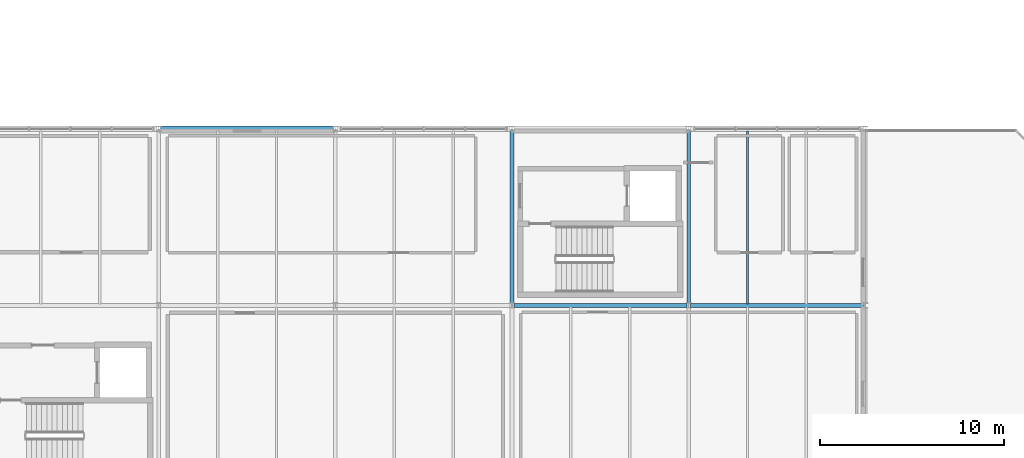
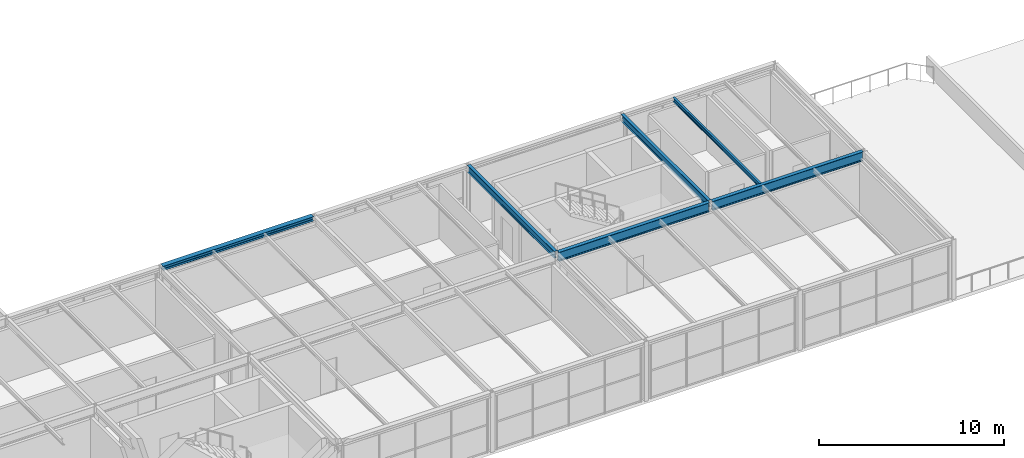
# One storey, part 24 of 39: 6 beams.
"""IFC4 building model written with IfcOpenShell, lengths in metres."""

from ifc_helpers import new_model, si_unit, direction, frame, origin, origin_2d, place, context, subcontext, project, spatial, i_section, extrude, material, material_profile, profile_set, type_object, element, save


model = new_model("IFC4")

# Units and contexts
model_context = context("Model", 3, precision=1e-05, world=origin(), true_north=direction((0.0, 1.0)))
body_context = subcontext(model_context, "Body", "Model", "MODEL_VIEW")
ifc_project = project(units=[si_unit("LENGTHUNIT", "METRE"), si_unit("AREAUNIT", "SQUARE_METRE"), si_unit("VOLUMEUNIT", "CUBIC_METRE"), si_unit("PLANEANGLEUNIT", "RADIAN"), si_unit("MASSUNIT", "GRAM", prefix="KILO")], contexts=[model_context])

# Site, building, storey
site_placement = place(None, origin())
site = spatial("IfcSite", under=ifc_project, at=site_placement, CompositionType="ELEMENT")
building_placement = place(site_placement, origin())
building = spatial("IfcBuilding", under=site, at=building_placement, Name="Coralgate Yard Interchange", CompositionType="ELEMENT")
storey_placement = place(building_placement, frame((0.0, 0.0, 18.89990234375)))
storey = spatial("IfcBuildingStorey", under=building, at=storey_placement, Name="L04", CompositionType="ELEMENT", Elevation=18.89990234375)

# Beams
ifc_material = material(Name="Structural steel S355J2", Category="steel")
ifc_material_profile_1 = material_profile(ifc_material, i_section(OverallWidth=0.1904296875, OverallDepth=0.45703125, WebThickness=0.009033203125, FlangeThickness=0.014404296875, FilletRadius=0.01025390625, at=origin_2d()), Name="UB 457x191x74")
ifc_profile_set_1 = profile_set([ifc_material_profile_1], Name="Structural steel S355J2")
beam_type_1 = type_object("IfcBeamType", Name="BM-SB-2", PredefinedType="BEAM", material=ifc_profile_set_1)
for number, where, z_axis, x_axis, name in (
    (1, (48.0, 9.703369140625, 3.7216796875), (0.0, 1.0, 0.0), (-1.0, 0.0, 0.0), "L04 primary grid girder X5 Y1-2"),
    (2, (57.60009765625, 9.703369140625, 3.7216796875), (0.0, 1.0, 0.0), (-1.0, 0.0, 0.0), "L04 primary grid girder X6 Y1-2"),
):
    element("IfcBeam", number, at=place(storey_placement, frame(where, z_axis=z_axis, x_axis=x_axis)), inside=storey, type_object=beam_type_1, Name=name, PredefinedType="BEAM", context=body_context, shape_type="SweptSolid", body=[
        extrude(i_section(OverallWidth=0.1904296875, OverallDepth=0.45703125, WebThickness=0.009033203125, FlangeThickness=0.014404296875, FilletRadius=0.01025390625, at=origin_2d()), origin(), (0.0, 0.0, 1.0), 9.393310546875),
    ])
ifc_material_profile_2 = material_profile(ifc_material, i_section(OverallWidth=0.228271484375, OverallDepth=0.607666015625, WebThickness=0.010986328125, FlangeThickness=0.017333984375, FilletRadius=0.0126953125, at=origin_2d()), Name="UB 610x229x113")
ifc_profile_set_2 = profile_set([ifc_material_profile_2], Name="Structural steel S355J2")
beam_type_2 = type_object("IfcBeamType", Name="BM-SG-5", PredefinedType="BEAM", material=ifc_profile_set_2)
for number, where, z_axis, x_axis, name in (
    (3, (48.099365234375, 9.60009765625, 3.646240234375), (1.0, 0.0, 0.0), (0.0, 1.0, 0.0), "L04 primary grid beam Y1 X5-6"),
    (4, (57.699462890625, 9.60009765625, 3.646240234375), (1.0, 0.0, 0.0), (0.0, 1.0, 0.0), "L04 primary grid beam Y1 X6-7"),
):
    element("IfcBeam", number, at=place(storey_placement, frame(where, z_axis=z_axis, x_axis=x_axis)), inside=storey, type_object=beam_type_2, Name=name, PredefinedType="BEAM", context=body_context, shape_type="SweptSolid", body=[
        extrude(i_section(OverallWidth=0.228271484375, OverallDepth=0.607666015625, WebThickness=0.010986328125, FlangeThickness=0.017333984375, FilletRadius=0.0126953125, at=origin_2d()), origin(), (0.0, 0.0, 1.0), 9.401123046875),
    ])
ifc_material_profile_3 = material_profile(ifc_material, i_section(OverallWidth=0.135009765625, OverallDepth=0.27001953125, WebThickness=0.006591796875, FlangeThickness=0.01025390625, FilletRadius=0.014892578125, at=origin_2d()), Name="IPE 270")
ifc_profile_set_3 = profile_set([ifc_material_profile_3], Name="Structural steel S355J2")
beam_type_3 = type_object("IfcBeamType", Name="BM-SJ-3", PredefinedType="JOIST", material=ifc_profile_set_3)
beam_1_placement = place(storey_placement, frame((60.800048828125, 9.68408203125, 3.815185546875), z_axis=(0.0, 1.0, 0.0), x_axis=(-1.0, 0.0, 0.0)))
element("IfcBeam", 5, at=beam_1_placement, inside=storey, type_object=beam_type_3, Name="L04 composite floor joist 6-1-1", PredefinedType="JOIST", context=body_context, shape_type="SweptSolid", body=[
    extrude(i_section(OverallWidth=0.135009765625, OverallDepth=0.27001953125, WebThickness=0.006591796875, FlangeThickness=0.01025390625, FilletRadius=0.014892578125, at=origin_2d()), origin(), (0.0, 0.0, 1.0), 9.39599609375),
])
ifc_material_profile_4 = material_profile(ifc_material, i_section(OverallWidth=0.300048828125, OverallDepth=0.2900390625, WebThickness=0.008544921875, FlangeThickness=0.013916015625, FilletRadius=0.027099609375, at=origin_2d()), Name="HEA 300")
ifc_profile_set_4 = profile_set([ifc_material_profile_4], Name="Structural steel S355J2")
beam_type_4 = type_object("IfcBeamType", Name="BM-SP-2", PredefinedType="SPANDREL", material=ifc_profile_set_4)
beam_2_placement = place(storey_placement, frame((28.8994140625, 19.199951171875, 3.80517578125), z_axis=(1.0, 0.0, 0.0), x_axis=(0.0, 1.0, 0.0)))
element("IfcBeam", 6, at=beam_2_placement, inside=storey, type_object=beam_type_4, Name="L04 primary grid beam Y2 X3-4", PredefinedType="SPANDREL", context=body_context, shape_type="SweptSolid", body=[
    extrude(i_section(OverallWidth=0.300048828125, OverallDepth=0.2900390625, WebThickness=0.008544921875, FlangeThickness=0.013916015625, FilletRadius=0.027099609375, at=origin_2d()), origin(), (0.0, 0.0, 1.0), 9.401123046875),
])

save(model, "model.ifc")
